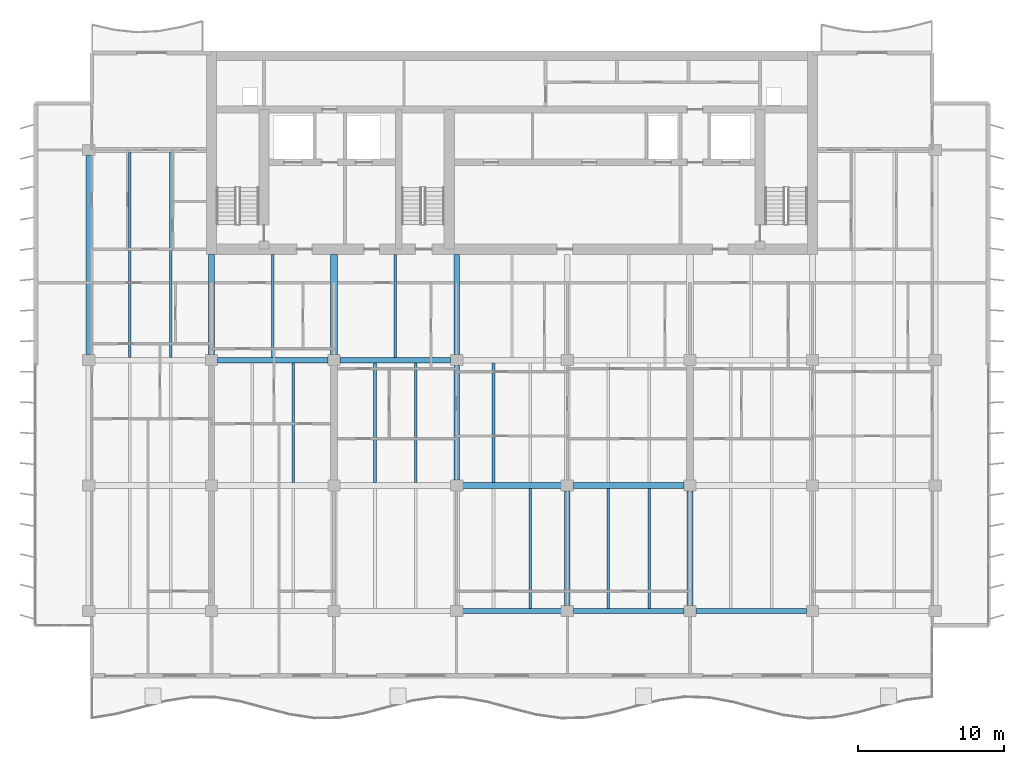
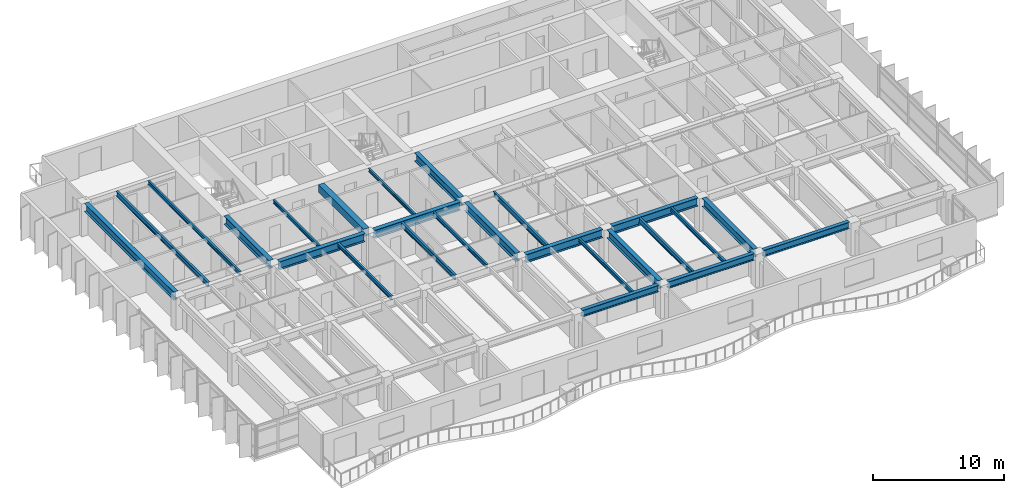
# One storey, part 3 of 17: 25 beams.
"""IFC4 building model written with IfcOpenShell, lengths in metres."""

from ifc_helpers import new_model, si_unit, direction, frame, origin, origin_2d, place, context, subcontext, project, spatial, rectangle, i_section, extrude, material, material_profile, profile_set, type_object, element, save


model = new_model("IFC4")

# Units and contexts
model_context = context("Model", 3, precision=1e-05, world=origin(), true_north=direction((0.0, 1.0)))
body_context = subcontext(model_context, "Body", "Model", "MODEL_VIEW")
ifc_project = project(units=[si_unit("LENGTHUNIT", "METRE"), si_unit("AREAUNIT", "SQUARE_METRE"), si_unit("VOLUMEUNIT", "CUBIC_METRE"), si_unit("PLANEANGLEUNIT", "RADIAN"), si_unit("MASSUNIT", "GRAM", prefix="KILO")], contexts=[model_context])

# Site, building, storey
site_placement = place(None, origin())
site = spatial("IfcSite", under=ifc_project, at=site_placement, CompositionType="ELEMENT")
building_placement = place(site_placement, origin())
building = spatial("IfcBuilding", under=site, at=building_placement, Name="Caelmar Bay Residences", CompositionType="ELEMENT")
storey_placement = place(building_placement, frame((0.0, 0.0, 201.60009765625)))
storey = spatial("IfcBuildingStorey", under=building, at=storey_placement, Name="L56", CompositionType="ELEMENT", Elevation=201.60009765625)

# Beams
ifc_material_1 = material(Name="Steel ASTM A992 Grade 50", Category="steel")
ifc_material_profile_1 = material_profile(ifc_material_1, i_section(OverallWidth=0.381103515625, OverallDepth=0.77197265625, WebThickness=0.0166015625, FlangeThickness=0.027099609375, FilletRadius=0.0166015625, at=origin_2d()), Name="W30X173")
ifc_profile_set_1 = profile_set([ifc_material_profile_1], Name="Steel ASTM A992 Grade 50")
beam_type_1 = type_object("IfcBeamType", Name="BM-GRD-W30X173", PredefinedType="BEAM", material=ifc_profile_set_1)
beam_1_placement = place(storey_placement, frame((35.514892578125, 20.800048828125, 2.663818359375), z_axis=(1.0, 0.0, 0.0), x_axis=(0.0, 1.0, 0.0)))
element("IfcBeam", 1, at=beam_1_placement, inside=storey, type_object=beam_type_1, Name="L56 East-West Girder Y=20.80 (35.1-42.7)", PredefinedType="BEAM", context=body_context, shape_type="SweptSolid", body=[
    extrude(i_section(OverallWidth=0.381103515625, OverallDepth=0.77197265625, WebThickness=0.0166015625, FlangeThickness=0.027099609375, FilletRadius=0.0166015625, at=origin_2d()), origin(), (0.0, 0.0, 1.0), 6.77001953125),
])
beam_2_placement = place(storey_placement, frame((43.114990234375, 20.800048828125, 2.663818359375), z_axis=(1.0, 0.0, 0.0), x_axis=(0.0, 1.0, 0.0)))
element("IfcBeam", 2, at=beam_2_placement, inside=storey, type_object=beam_type_1, Name="L56 East-West Girder Y=20.80 (42.7-51.1)", PredefinedType="BEAM", context=body_context, shape_type="SweptSolid", body=[
    extrude(i_section(OverallWidth=0.381103515625, OverallDepth=0.77197265625, WebThickness=0.0166015625, FlangeThickness=0.027099609375, FilletRadius=0.0166015625, at=origin_2d()), origin(), (0.0, 0.0, 1.0), 7.570068359375),
])
beam_3_placement = place(storey_placement, frame((18.715087890625, 29.39990234375, 2.663818359375), z_axis=(1.0, 0.0, 0.0), x_axis=(0.0, 1.0, 0.0)))
element("IfcBeam", 3, at=beam_3_placement, inside=storey, type_object=beam_type_1, Name="L56 East-West Girder Y=29.40 (18.3-26.7)", PredefinedType="BEAM", context=body_context, shape_type="SweptSolid", body=[
    extrude(i_section(OverallWidth=0.381103515625, OverallDepth=0.77197265625, WebThickness=0.0166015625, FlangeThickness=0.027099609375, FilletRadius=0.0166015625, at=origin_2d()), origin(), (0.0, 0.0, 1.0), 7.56982421875),
])
beam_4_placement = place(storey_placement, frame((27.114990234375, 29.39990234375, 2.663818359375), z_axis=(1.0, 0.0, 0.0), x_axis=(0.0, 1.0, 0.0)))
element("IfcBeam", 4, at=beam_4_placement, inside=storey, type_object=beam_type_1, Name="L56 East-West Girder Y=29.40 (26.7-35.1)", PredefinedType="BEAM", context=body_context, shape_type="SweptSolid", body=[
    extrude(i_section(OverallWidth=0.381103515625, OverallDepth=0.77197265625, WebThickness=0.0166015625, FlangeThickness=0.027099609375, FilletRadius=0.0166015625, at=origin_2d()), origin(), (0.0, 0.0, 1.0), 7.570068359375),
])
beam_5_placement = place(storey_placement, frame((9.89990234375, 29.764892578125, 2.663818359375), z_axis=(0.0, 1.0, 0.0), x_axis=(-1.0, 0.0, 0.0)))
element("IfcBeam", 5, at=beam_5_placement, inside=storey, type_object=beam_type_1, Name="L56 North-South Girder X=9.90 (29.4-43.8)", PredefinedType="BEAM", context=body_context, shape_type="SweptSolid", body=[
    extrude(i_section(OverallWidth=0.381103515625, OverallDepth=0.77197265625, WebThickness=0.0166015625, FlangeThickness=0.027099609375, FilletRadius=0.0166015625, at=origin_2d()), origin(), (0.0, 0.0, 1.0), 13.670166015625),
])
for number, where, z_axis, x_axis, name in (
    (6, (18.300048828125, 29.764892578125, 2.663818359375), (0.0, 1.0, 0.0), (-1.0, 0.0, 0.0), "L56 Core Tie Girder X=18.30"),
    (7, (35.10009765625, 29.764892578125, 2.663818359375), (0.0, 1.0, 0.0), (-1.0, 0.0, 0.0), "L56 Core Tie Girder X=35.10"),
):
    element("IfcBeam", number, at=place(storey_placement, frame(where, z_axis=z_axis, x_axis=x_axis)), inside=storey, type_object=beam_type_1, Name=name, PredefinedType="BEAM", context=body_context, shape_type="SweptSolid", body=[
        extrude(i_section(OverallWidth=0.381103515625, OverallDepth=0.77197265625, WebThickness=0.0166015625, FlangeThickness=0.027099609375, FilletRadius=0.0166015625, at=origin_2d()), origin(), (0.0, 0.0, 1.0), 6.885009765625),
    ])
beam_6_placement = place(storey_placement, frame((35.10009765625, 21.1650390625, 2.663818359375), z_axis=(0.0, 1.0, 0.0), x_axis=(-1.0, 0.0, 0.0)))
element("IfcBeam", 8, at=beam_6_placement, inside=storey, type_object=beam_type_1, Name="L56 North-South Girder X=35.10 (20.8-29.4)", PredefinedType="BEAM", context=body_context, shape_type="SweptSolid", body=[
    extrude(i_section(OverallWidth=0.381103515625, OverallDepth=0.77197265625, WebThickness=0.0166015625, FlangeThickness=0.027099609375, FilletRadius=0.0166015625, at=origin_2d()), origin(), (0.0, 0.0, 1.0), 7.869873046875),
])
for number, where, z_axis, x_axis, name in (
    (9, (42.699951171875, 12.56494140625, 2.663818359375), (0.0, 1.0, 0.0), (-1.0, 0.0, 0.0), "L56 North-South Girder X=42.70 (12.2-20.8)"),
    (10, (51.10009765625, 12.56494140625, 2.663818359375), (0.0, 1.0, 0.0), (-1.0, 0.0, 0.0), "L56 North-South Girder X=51.10 (12.2-20.8)"),
):
    element("IfcBeam", number, at=place(storey_placement, frame(where, z_axis=z_axis, x_axis=x_axis)), inside=storey, type_object=beam_type_1, Name=name, PredefinedType="BEAM", context=body_context, shape_type="SweptSolid", body=[
        extrude(i_section(OverallWidth=0.381103515625, OverallDepth=0.77197265625, WebThickness=0.0166015625, FlangeThickness=0.027099609375, FilletRadius=0.0166015625, at=origin_2d()), origin(), (0.0, 0.0, 1.0), 7.8701171875),
    ])
ifc_material_profile_2 = material_profile(ifc_material_1, i_section(OverallWidth=0.1650390625, OverallDepth=0.31005859375, WebThickness=0.005859375, FlangeThickness=0.009765625, FilletRadius=0.007568359375, at=origin_2d()), Name="W12X26")
ifc_profile_set_2 = profile_set([ifc_material_profile_2], Name="Steel ASTM A992 Grade 50")
beam_type_2 = type_object("IfcBeamType", Name="BM-JST-W12X26", PredefinedType="JOIST", material=ifc_profile_set_2)
for number, where, z_axis, x_axis, name in (
    (11, (22.5, 29.590576171875, 2.89501953125), (0.0, 1.0, 0.0), (-1.0, 0.0, 0.0), "L56 Core-Band Composite Joist 29"),
    (12, (30.89990234375, 29.590576171875, 2.89501953125), (0.0, 1.0, 0.0), (-1.0, 0.0, 0.0), "L56 Core-Band Composite Joist 30"),
):
    element("IfcBeam", number, at=place(storey_placement, frame(where, z_axis=z_axis, x_axis=x_axis)), inside=storey, type_object=beam_type_2, Name=name, PredefinedType="JOIST", context=body_context, shape_type="SweptSolid", body=[
        extrude(i_section(OverallWidth=0.1650390625, OverallDepth=0.31005859375, WebThickness=0.005859375, FlangeThickness=0.009765625, FilletRadius=0.007568359375, at=origin_2d()), origin(), (0.0, 0.0, 1.0), 7.059326171875),
    ])
ifc_material_profile_3 = material_profile(ifc_material_1, i_section(OverallWidth=0.1708984375, OverallDepth=0.35595703125, WebThickness=0.007080078125, FlangeThickness=0.01171875, FilletRadius=0.007568359375, at=origin_2d()), Name="W14X34")
ifc_profile_set_3 = profile_set([ifc_material_profile_3], Name="Steel ASTM A992 Grade 50")
beam_type_3 = type_object("IfcBeamType", Name="BM-JST-W14X34", PredefinedType="JOIST", material=ifc_profile_set_3)
for number, where, z_axis, x_axis, name in (
    (13, (40.166748046875, 12.362548828125, 2.871826171875), (0.0, 1.0, 0.0), (-1.0, 0.0, 0.0), "L56 Composite Floor Joist 8"),
    (14, (48.300048828125, 12.362548828125, 2.871826171875), (0.0, 1.0, 0.0), (-1.0, 0.0, 0.0), "L56 Composite Floor Joist 10"),
):
    element("IfcBeam", number, at=place(storey_placement, frame(where, z_axis=z_axis, x_axis=x_axis)), inside=storey, type_object=beam_type_3, Name=name, PredefinedType="JOIST", context=body_context, shape_type="SweptSolid", body=[
        extrude(i_section(OverallWidth=0.1708984375, OverallDepth=0.35595703125, WebThickness=0.007080078125, FlangeThickness=0.01171875, FilletRadius=0.007568359375, at=origin_2d()), origin(), (0.0, 0.0, 1.0), 8.2470703125),
    ])
for number, where, z_axis, x_axis, name in (
    (15, (23.89990234375, 20.990478515625, 2.871826171875), (0.0, 1.0, 0.0), (-1.0, 0.0, 0.0), "L56 Composite Floor Joist 18"),
    (16, (32.300048828125, 20.990478515625, 2.871826171875), (0.0, 1.0, 0.0), (-1.0, 0.0, 0.0), "L56 Composite Floor Joist 20"),
):
    element("IfcBeam", number, at=place(storey_placement, frame(where, z_axis=z_axis, x_axis=x_axis)), inside=storey, type_object=beam_type_3, Name=name, PredefinedType="JOIST", context=body_context, shape_type="SweptSolid", body=[
        extrude(i_section(OverallWidth=0.1708984375, OverallDepth=0.35595703125, WebThickness=0.007080078125, FlangeThickness=0.01171875, FilletRadius=0.007568359375, at=origin_2d()), origin(), (0.0, 0.0, 1.0), 8.218994140625),
    ])
beam_7_placement = place(storey_placement, frame((15.5, 29.590576171875, 2.871826171875), z_axis=(0.0, 1.0, 0.0), x_axis=(-1.0, 0.0, 0.0)))
element("IfcBeam", 17, at=beam_7_placement, inside=storey, type_object=beam_type_3, Name="L56 Composite Floor Joist 35", PredefinedType="JOIST", context=body_context, shape_type="SweptSolid", body=[
    extrude(i_section(OverallWidth=0.1708984375, OverallDepth=0.35595703125, WebThickness=0.007080078125, FlangeThickness=0.01171875, FilletRadius=0.007568359375, at=origin_2d()), origin(), (0.0, 0.0, 1.0), 14.046875),
])
ifc_material_profile_4 = material_profile(ifc_material_1, i_section(OverallWidth=0.19091796875, OverallDepth=0.45703125, WebThickness=0.009033203125, FlangeThickness=0.014404296875, FilletRadius=0.01025390625, at=origin_2d()), Name="W18X50")
ifc_profile_set_4 = profile_set([ifc_material_profile_4], Name="Steel ASTM A992 Grade 50")
beam_type_4 = type_object("IfcBeamType", Name="BM-JST-W18X50", PredefinedType="JOIST", material=ifc_profile_set_4)
beam_8_placement = place(storey_placement, frame((45.5, 12.362548828125, 2.8212890625), z_axis=(0.0, 1.0, 0.0), x_axis=(-1.0, 0.0, 0.0)))
element("IfcBeam", 18, at=beam_8_placement, inside=storey, type_object=beam_type_4, Name="L56 Composite Floor Joist 9", PredefinedType="JOIST", context=body_context, shape_type="SweptSolid", body=[
    extrude(i_section(OverallWidth=0.19091796875, OverallDepth=0.45703125, WebThickness=0.009033203125, FlangeThickness=0.014404296875, FilletRadius=0.01025390625, at=origin_2d()), origin(), (0.0, 0.0, 1.0), 8.2470703125),
])
for number, where, z_axis, x_axis, name in (
    (19, (29.5, 20.990478515625, 2.8212890625), (0.0, 1.0, 0.0), (-1.0, 0.0, 0.0), "L56 Composite Floor Joist 19"),
    (20, (37.63330078125, 20.990478515625, 2.8212890625), (0.0, 1.0, 0.0), (-1.0, 0.0, 0.0), "L56 Composite Floor Joist 21"),
):
    element("IfcBeam", number, at=place(storey_placement, frame(where, z_axis=z_axis, x_axis=x_axis)), inside=storey, type_object=beam_type_4, Name=name, PredefinedType="JOIST", context=body_context, shape_type="SweptSolid", body=[
        extrude(i_section(OverallWidth=0.19091796875, OverallDepth=0.45703125, WebThickness=0.009033203125, FlangeThickness=0.014404296875, FilletRadius=0.01025390625, at=origin_2d()), origin(), (0.0, 0.0, 1.0), 8.218994140625),
    ])
beam_9_placement = place(storey_placement, frame((12.699951171875, 29.590576171875, 2.8212890625), z_axis=(0.0, 1.0, 0.0), x_axis=(-1.0, 0.0, 0.0)))
element("IfcBeam", 21, at=beam_9_placement, inside=storey, type_object=beam_type_4, Name="L56 Composite Floor Joist 34", PredefinedType="JOIST", context=body_context, shape_type="SweptSolid", body=[
    extrude(i_section(OverallWidth=0.19091796875, OverallDepth=0.45703125, WebThickness=0.009033203125, FlangeThickness=0.014404296875, FilletRadius=0.01025390625, at=origin_2d()), origin(), (0.0, 0.0, 1.0), 14.046875),
])
ifc_material_2 = material(Name="Concrete f'c 55 MPa (8,000 psi)", Category="concrete")
ifc_material_profile_5 = material_profile(ifc_material_2, rectangle(XDim=0.5, YDim=0.699951171875, at=origin_2d()), Name="RC-BM-500X700")
ifc_profile_set_5 = profile_set([ifc_material_profile_5], Name="Concrete f'c 55 MPa (8,000 psi)")
beam_type_5 = type_object("IfcBeamType", Name="BM-RC-500X700", PredefinedType="LINTEL", material=ifc_profile_set_5)
beam_10_placement = place(storey_placement, frame((26.699951171875, 29.764892578125, 2.699951171875), z_axis=(0.0, 1.0, 0.0), x_axis=(-1.0, 0.0, 0.0)))
element("IfcBeam", 22, at=beam_10_placement, inside=storey, type_object=beam_type_5, Name="L56 Shear-Wall Corridor Coupling Lintel W5", PredefinedType="LINTEL", context=body_context, shape_type="SweptSolid", body=[
    extrude(rectangle(XDim=0.5, YDim=0.699951171875, at=origin_2d()), origin(), (0.0, 0.0, 1.0), 6.885009765625),
])
ifc_material_profile_6 = material_profile(ifc_material_1, i_section(OverallWidth=0.324951171875, OverallDepth=0.616943359375, WebThickness=0.013916015625, FlangeThickness=0.021484375, FilletRadius=0.0126953125, at=origin_2d()), Name="W24X117")
ifc_profile_set_6 = profile_set([ifc_material_profile_6], Name="Steel ASTM A992 Grade 50")
beam_type_6 = type_object("IfcBeamType", Name="BM-SPN-W24X117", PredefinedType="SPANDREL", material=ifc_profile_set_6)
beam_11_placement = place(storey_placement, frame((35.514892578125, 12.199951171875, 2.741455078125), z_axis=(1.0, 0.0, 0.0), x_axis=(0.0, 1.0, 0.0)))
element("IfcBeam", 23, at=beam_11_placement, inside=storey, type_object=beam_type_6, Name="L56 East-West Girder Y=12.20 (35.1-42.7)", PredefinedType="SPANDREL", context=body_context, shape_type="SweptSolid", body=[
    extrude(i_section(OverallWidth=0.324951171875, OverallDepth=0.616943359375, WebThickness=0.013916015625, FlangeThickness=0.021484375, FilletRadius=0.0126953125, at=origin_2d()), origin(), (0.0, 0.0, 1.0), 6.77001953125),
])
for number, where, z_axis, x_axis, name in (
    (24, (43.114990234375, 12.199951171875, 2.741455078125), (1.0, 0.0, 0.0), (0.0, 1.0, 0.0), "L56 East-West Girder Y=12.20 (42.7-51.1)"),
    (25, (51.514892578125, 12.199951171875, 2.741455078125), (1.0, 0.0, 0.0), (0.0, 1.0, 0.0), "L56 East-West Girder Y=12.20 (51.1-59.5)"),
):
    element("IfcBeam", number, at=place(storey_placement, frame(where, z_axis=z_axis, x_axis=x_axis)), inside=storey, type_object=beam_type_6, Name=name, PredefinedType="SPANDREL", context=body_context, shape_type="SweptSolid", body=[
        extrude(i_section(OverallWidth=0.324951171875, OverallDepth=0.616943359375, WebThickness=0.013916015625, FlangeThickness=0.021484375, FilletRadius=0.0126953125, at=origin_2d()), origin(), (0.0, 0.0, 1.0), 7.570068359375),
    ])

save(model, "model.ifc")
